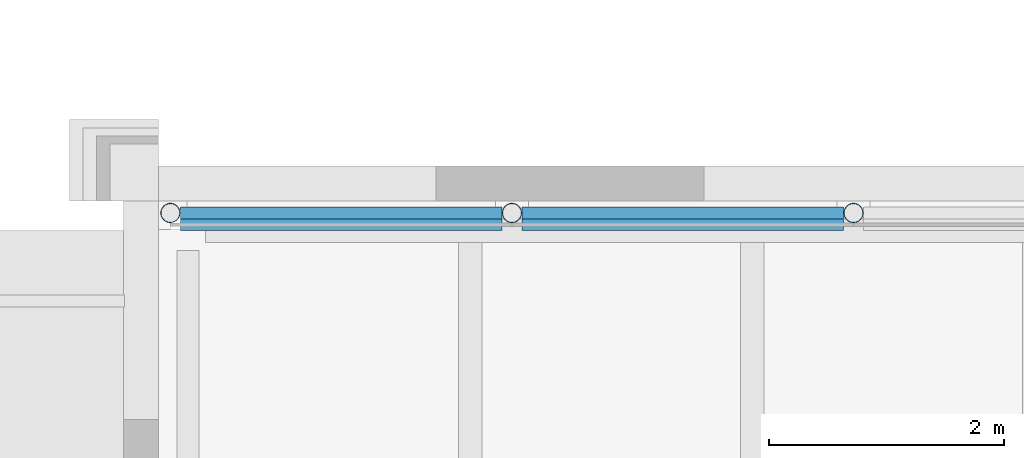
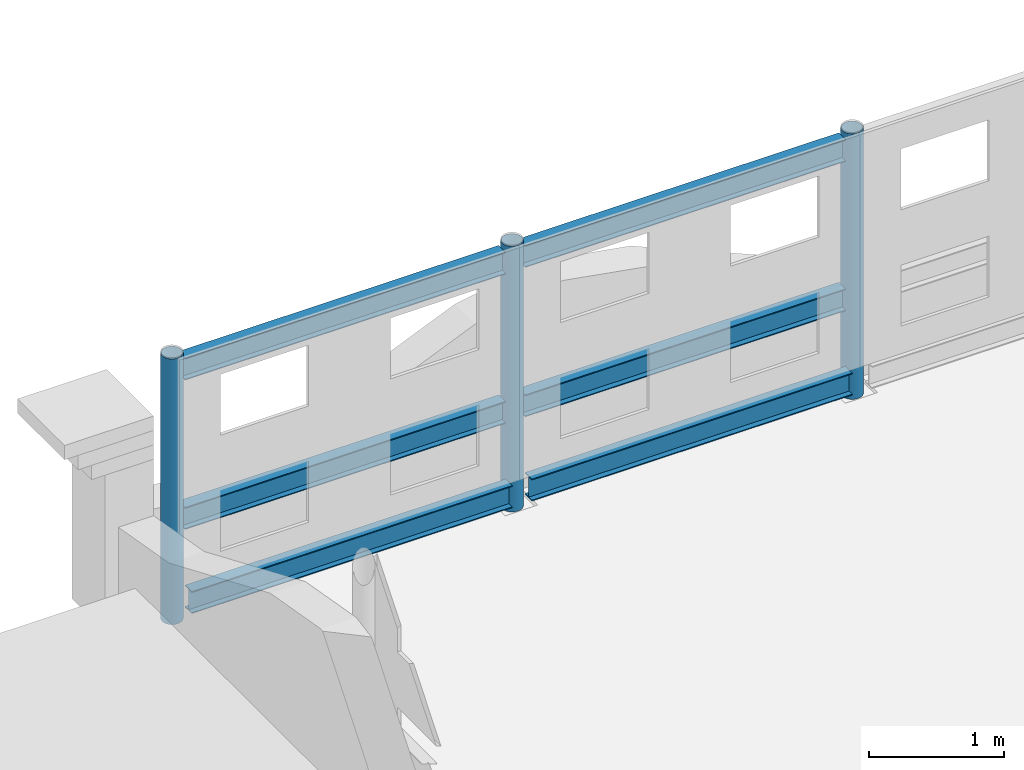
# One storey, part 21 of 91: 9 members.
"""IFC4 building model written with IfcOpenShell, lengths in metres."""

from ifc_helpers import new_model, si_unit, direction, frame, origin, origin_2d, place, context, subcontext, project, spatial, hollow_circle, i_section, extrude, material, material_profile, profile_set, type_object, element, save


model = new_model("IFC4")

# Units and contexts
model_context = context("Model", 3, precision=1e-05, world=origin(), true_north=direction((0.0, 1.0)))
body_context = subcontext(model_context, "Body", "Model", "MODEL_VIEW")
ifc_project = project(units=[si_unit("LENGTHUNIT", "METRE"), si_unit("AREAUNIT", "SQUARE_METRE"), si_unit("VOLUMEUNIT", "CUBIC_METRE"), si_unit("PLANEANGLEUNIT", "RADIAN"), si_unit("MASSUNIT", "GRAM", prefix="KILO")], contexts=[model_context])

# Site, building, storey
site_placement = place(None, origin())
site = spatial("IfcSite", under=ifc_project, at=site_placement, CompositionType="ELEMENT")
building_placement = place(site_placement, origin())
building = spatial("IfcBuilding", under=site, at=building_placement, Name="Ravi Spectrum Wholesale Market", CompositionType="ELEMENT")
storey_placement = place(building_placement, frame((0.0, 0.0, 16.199951171875)))
storey = spatial("IfcBuildingStorey", under=building, at=storey_placement, Name="ROOF PLANT LEVEL", CompositionType="ELEMENT", Elevation=16.199951171875)

# Members
ifc_material_1 = material(Name="Steel S355", Category="steel")
ifc_material_profile_1 = material_profile(ifc_material_1, hollow_circle(Radius=0.084228515625, WallThickness=0.00634765625, at=origin_2d()))
ifc_profile_set_1 = profile_set([ifc_material_profile_1], Name="Steel S355")
member_type_1 = type_object("IfcMemberType", Name="CHS 168.3x6.3 post", PredefinedType="POST", material=ifc_profile_set_1)
for number, where, z_axis, x_axis, name in (
    (1, (203.663818359375, 66.14990234375, 0.0), (0.0, 0.0, 1.0), (1.0, 0.0, 0.0), "CS-MB-ROOF-074"),
    (2, (200.7568359375, 66.14990234375, 0.0), (0.0, 0.0, 1.0), (1.0, 0.0, 0.0), "CS-MB-ROOF-075"),
    (3, (197.85009765625, 66.14990234375, 0.0), (0.0, 0.0, 1.0), (1.0, 0.0, 0.0), "CS-MB-ROOF-076"),
):
    element("IfcMember", number, at=place(storey_placement, frame(where, z_axis=z_axis, x_axis=x_axis)), inside=storey, type_object=member_type_1, Name=name, PredefinedType="POST", context=body_context, shape_type="SweptSolid", body=[
        extrude(hollow_circle(Radius=0.084228515625, WallThickness=0.00634765625, at=origin_2d()), origin(), (0.0, 0.0, 1.0), 2.400146484375),
    ])
ifc_material_2 = material(Name="Steel S355", Category="steel")
ifc_material_profile_2 = material_profile(ifc_material_2, i_section(OverallWidth=0.10009765625, OverallDepth=0.199951171875, WebThickness=0.005615234375, FlangeThickness=0.008544921875, at=origin_2d()))
ifc_profile_set_2 = profile_set([ifc_material_profile_2], Name="Steel S355")
member_type_2 = type_object("IfcMemberType", Name="IPE 200 purlin", PredefinedType="PURLIN", material=ifc_profile_set_2)
for number, where, z_axis, x_axis, name in (
    (4, (203.57958984375, 66.14990234375, 0.900146484375), (-1.0, 0.0, 0.0), (0.0, -1.0, 0.0), "CS-MB-ROOF-306"),
    (5, (203.57958984375, 66.14990234375, 2.25), (-1.0, 0.0, 0.0), (0.0, -1.0, 0.0), "CS-MB-ROOF-307"),
    (6, (203.57958984375, 66.05078125, 0.199951171875), (-1.0, 0.0, 0.0), (0.0, -1.0, 0.0), "CS-MB-ROOF-308"),
):
    element("IfcMember", number, at=place(storey_placement, frame(where, z_axis=z_axis, x_axis=x_axis)), inside=storey, type_object=member_type_2, Name=name, PredefinedType="PURLIN", context=body_context, shape_type="SweptSolid", body=[
        extrude(i_section(OverallWidth=0.10009765625, OverallDepth=0.199951171875, WebThickness=0.005615234375, FlangeThickness=0.008544921875, at=origin_2d()), origin(), (0.0, 0.0, 1.0), 2.738525390625),
    ])
for number, where, z_axis, x_axis, name in (
    (7, (200.6728515625, 66.14990234375, 0.900146484375), (-1.0, 0.0, 0.0), (0.0, -1.0, 0.0), "CS-MB-ROOF-309"),
    (8, (200.6728515625, 66.14990234375, 2.25), (-1.0, 0.0, 0.0), (0.0, -1.0, 0.0), "CS-MB-ROOF-310"),
    (9, (200.6728515625, 66.05078125, 0.199951171875), (-1.0, 0.0, 0.0), (0.0, -1.0, 0.0), "CS-MB-ROOF-311"),
):
    element("IfcMember", number, at=place(storey_placement, frame(where, z_axis=z_axis, x_axis=x_axis)), inside=storey, type_object=member_type_2, Name=name, PredefinedType="PURLIN", context=body_context, shape_type="SweptSolid", body=[
        extrude(i_section(OverallWidth=0.10009765625, OverallDepth=0.199951171875, WebThickness=0.005615234375, FlangeThickness=0.008544921875, at=origin_2d()), origin(), (0.0, 0.0, 1.0), 2.73876953125),
    ])

save(model, "model.ifc")
